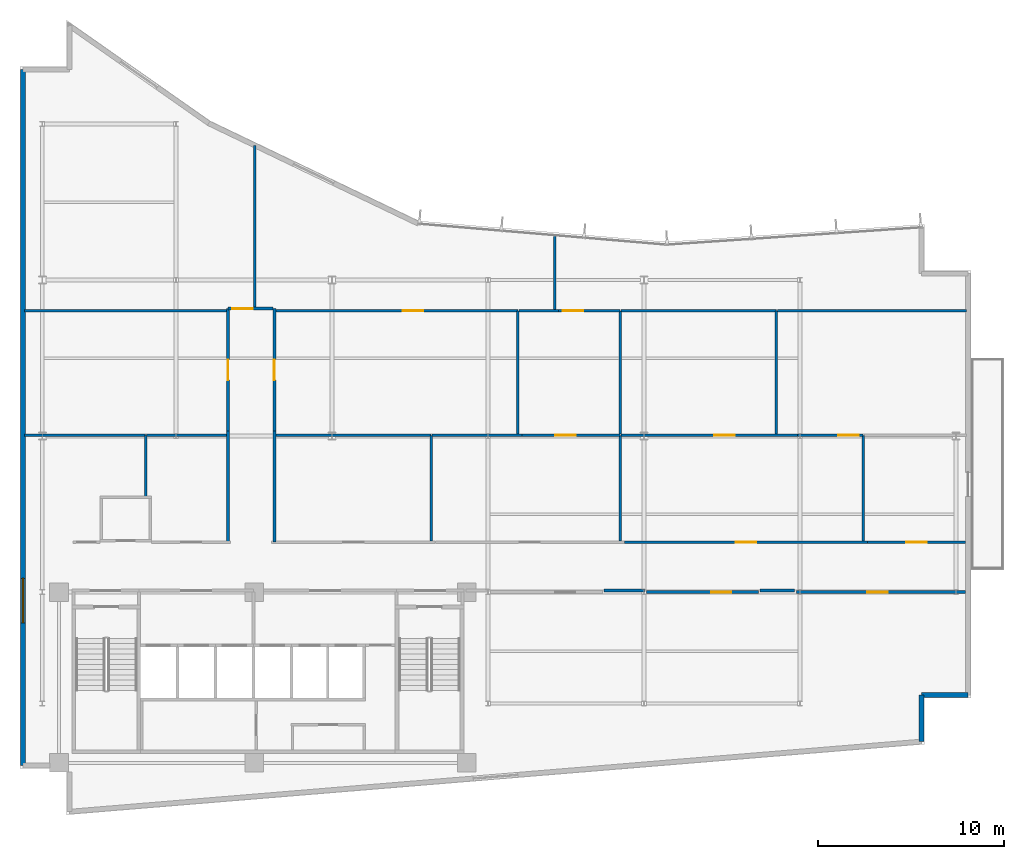
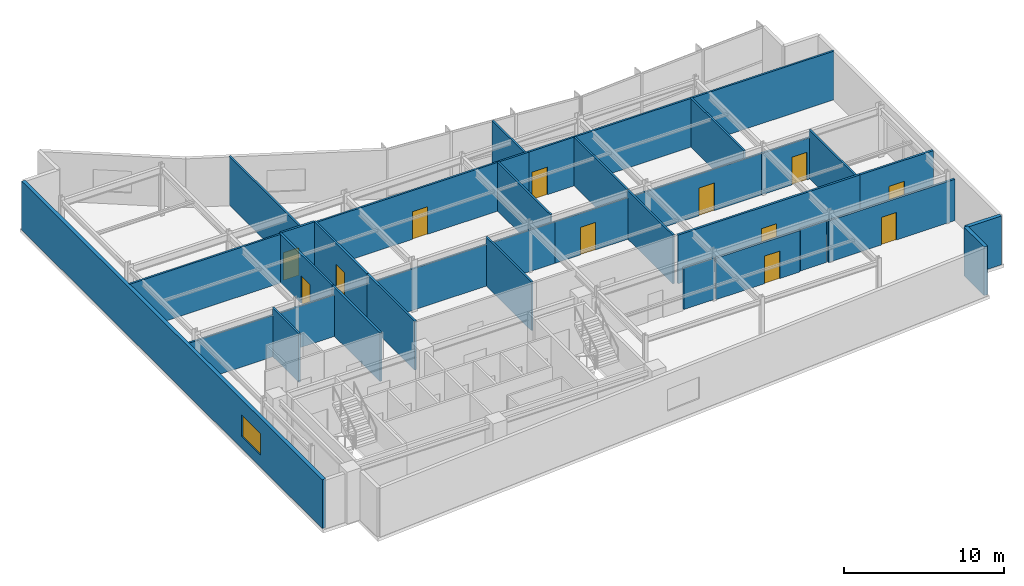
# One storey, part 10 of 14: 36 walls, 12 doors, 1 window, 13 openings.
"""IFC4 building model written with IfcOpenShell, lengths in metres."""

from ifc_helpers import new_model, si_unit, direction, frame, frame_2d, origin, place, context, subcontext, project, spatial, rectangle, extrude, material, layer, layer_set, type_object, element, fill, save


model = new_model("IFC4")

# Units and contexts
model_context = context("Model", 3, precision=1e-05, world=origin(), true_north=direction((0.0, 1.0)))
body_context = subcontext(model_context, "Body", "Model", "MODEL_VIEW")
ifc_project = project(units=[si_unit("LENGTHUNIT", "METRE"), si_unit("AREAUNIT", "SQUARE_METRE"), si_unit("VOLUMEUNIT", "CUBIC_METRE"), si_unit("PLANEANGLEUNIT", "RADIAN"), si_unit("MASSUNIT", "GRAM", prefix="KILO")], contexts=[model_context])

# Site, building, storey
site_placement = place(None, origin())
site = spatial("IfcSite", under=ifc_project, at=site_placement, CompositionType="ELEMENT")
building_placement = place(site_placement, origin())
building = spatial("IfcBuilding", under=site, at=building_placement, Name="Varnakote Quay Hospital", CompositionType="ELEMENT")
storey_placement = place(building_placement, frame((0.0, 0.0, 215.800048828125)))
storey = spatial("IfcBuildingStorey", under=building, at=storey_placement, Name="L53", CompositionType="ELEMENT", Elevation=215.800048828125)

# Walls
ifc_material_1 = material(Name="Fire-rated acoustic gypsum stud wall", Category="gypsum")
ifc_layer_1 = layer(ifc_material_1, 0.159912109375)
ifc_layer_set_1 = layer_set([ifc_layer_1], Name="Fire-rated acoustic gypsum stud wall")
wall_type_1 = type_object("IfcWallType", Name="WL-COMP-160", PredefinedType="PARTITIONING", material=ifc_layer_set_1)
wall_1_placement = place(storey_placement, frame((31.439208984375, 12.080078125, 0.0), z_axis=(0.0, 0.0, 1.0), x_axis=(1.0, 0.0, 0.0)))
element("IfcWall", 1, at=wall_1_placement, inside=storey, type_object=wall_type_1, Name="L53 Corridor South Gap Wall", PredefinedType="PARTITIONING", context=body_context, shape_type="SweptSolid", body=[
    extrude(rectangle(XDim=2.199462890625, YDim=0.159912109375, at=frame_2d((1.099609375, 0.0))), origin(), (0.0, 0.0, 1.0), 3.15185546875),
])
wall_2_placement = place(storey_placement, frame((39.83935546875, 12.080078125, 0.0), z_axis=(0.0, 0.0, 1.0), x_axis=(1.0, 0.0, 0.0)))
element("IfcWall", 2, at=wall_2_placement, inside=storey, type_object=wall_type_1, Name="L53 Corridor South Gap Wall", PredefinedType="PARTITIONING", context=body_context, shape_type="SweptSolid", body=[
    extrude(rectangle(XDim=1.871337890625, YDim=0.159912109375, at=frame_2d((0.935546875, 0.0))), origin(), (0.0, 0.0, 1.0), 3.15185546875),
])
ifc_material_2 = material(Name="Precast concrete N50 (f'c 50 MPa)", Category="concrete")
ifc_layer_2 = layer(ifc_material_2, 0.260009765625)
ifc_layer_set_2 = layer_set([ifc_layer_2], Name="Precast concrete N50 (f'c 50 MPa)")
wall_type_2 = type_object("IfcWallType", Name="WL-EXT-BRICK-260", PredefinedType="STANDARD", material=ifc_layer_set_2)
wall_3_placement = place(storey_placement, frame((48.5400390625, 3.947509765625, 0.0), z_axis=(0.0, 0.0, 1.0), x_axis=(0.0, 1.0, 0.0)))
element("IfcWall", 3, at=wall_3_placement, inside=storey, type_object=wall_type_2, Name="L53 Brick-Faced Precast Exterior Wall", PredefinedType="STANDARD", context=body_context, shape_type="SweptSolid", body=[
    extrude(rectangle(XDim=2.512451171875, YDim=0.260009765625, at=frame_2d((1.25634765625, 0.0))), origin(), (0.0, 0.0, 1.0), 3.7099609375),
])
wall_4_placement = place(storey_placement, frame((48.5400390625, 6.4599609375, 0.0), z_axis=(0.0, 0.0, 1.0), x_axis=(1.0, 0.0, 0.0)))
element("IfcWall", 4, at=wall_4_placement, inside=storey, type_object=wall_type_2, Name="L53 Brick-Faced Precast Exterior Wall", PredefinedType="STANDARD", context=body_context, shape_type="SweptSolid", body=[
    extrude(rectangle(XDim=2.5, YDim=0.260009765625, at=frame_2d((1.25, 0.0))), origin(), (0.0, 0.0, 1.0), 3.7099609375),
])

# Wall, opening, window
wall_5_placement = place(storey_placement, frame((0.159912109375, 40.139892578125, 0.0), z_axis=(0.0, 0.0, 1.0), x_axis=(0.0, -1.0, 0.0)))
wall_5 = element("IfcWall", 5, at=wall_5_placement, inside=storey, type_object=wall_type_2, Name="L53 Brick-Faced Precast Exterior Wall", PredefinedType="STANDARD", context=body_context, shape_type="SweptSolid", body=[
    extrude(rectangle(XDim=37.47998046875, YDim=0.260009765625, at=frame_2d((18.739990234375, 0.0))), origin(), (0.0, 0.0, 1.0), 3.7099609375),
])
opening_1_placement = place(wall_5_placement, frame((27.39990234375, 0.0, 0.89990234375)))
opening_1 = element("IfcOpeningElement", 6, at=opening_1_placement, cuts=wall_5, Name="Opening WN-0221", PredefinedType="OPENING", context=body_context, shape_type="SweptSolid", body=[
    extrude(rectangle(XDim=2.39990234375, YDim=1.64990234375, at=frame_2d((1.199951171875, 0.824951171875))), frame((0.0, 0.139892578125, 0.0), z_axis=(0.0, -1.0, 0.0), x_axis=(1.0, 0.0, 0.0)), (0.0, 0.0, 1.0), 0.280029296875),
])
ifc_material_3 = material(Name="Double-glazed low-E solar glass", Category="glass")
window_type = type_object("IfcWindowType", Name="WIN-CLIN-2400x1650", PartitioningType="SINGLE_PANEL", PredefinedType="WINDOW", material=ifc_material_3)
window_placement = place(opening_1_placement, origin())
window = element("IfcWindow", 7, at=window_placement, inside=storey, type_object=window_type, Name="L53 Solar-Control Clinical Window", OverallHeight=1.64990234375, OverallWidth=2.39990234375, PartitioningType="SINGLE_PANEL", PredefinedType="WINDOW", context=body_context, shape_type="SweptSolid", body=[
    extrude(rectangle(XDim=2.39990234375, YDim=1.64990234375, at=frame_2d((1.199951171875, 0.824951171875))), frame((0.0, 0.030029296875, 0.0), z_axis=(0.0, -1.0, 0.0), x_axis=(1.0, 0.0, 0.0)), (0.0, 0.0, 1.0), 0.06005859375),
])
fill(opening_1, window)

# Walls
ifc_material_4 = material(Name="Smoke-proof clinical partition", Category="gypsum")
ifc_layer_3 = layer(ifc_material_4, 0.135009765625)
ifc_layer_set_3 = layer_set([ifc_layer_3], Name="Smoke-proof clinical partition")
wall_type_3 = type_object("IfcWallType", Name="WL-SMOKE-135", PredefinedType="PARTITIONING", material=ifc_layer_set_3)
wall_6_placement = place(storey_placement, frame((6.760009765625, 17.139892578125, 0.0), z_axis=(0.0, 0.0, 1.0), x_axis=(0.0, 1.0, 0.0)))
element("IfcWall", 8, at=wall_6_placement, inside=storey, type_object=wall_type_3, Name="L53 Clinical Interior Partition", PredefinedType="PARTITIONING", context=body_context, shape_type="SweptSolid", body=[
    extrude(rectangle(XDim=3.300048828125, YDim=0.135009765625, at=frame_2d((1.64990234375, 0.0))), origin(), (0.0, 0.0, 1.0), 3.7099609375),
])
wall_7_placement = place(storey_placement, frame((6.760009765625, 20.43994140625, 0.0), z_axis=(0.0, 0.0, 1.0), x_axis=(-1.0, 0.0, 0.0)))
element("IfcWall", 9, at=wall_7_placement, inside=storey, type_object=wall_type_3, Name="L53 Clinical Interior Partition", PredefinedType="PARTITIONING", context=body_context, shape_type="SweptSolid", body=[
    extrude(rectangle(XDim=6.52001953125, YDim=0.135009765625, at=frame_2d((3.260009765625, 0.0))), origin(), (0.0, 0.0, 1.0), 3.15185546875),
])
wall_8_placement = place(storey_placement, frame((11.1201171875, 20.43994140625, 0.0), z_axis=(0.0, 0.0, 1.0), x_axis=(-1.0, 0.0, 0.0)))
element("IfcWall", 10, at=wall_8_placement, inside=storey, type_object=wall_type_3, Name="L53 Clinical Interior Partition", PredefinedType="PARTITIONING", context=body_context, shape_type="SweptSolid", body=[
    extrude(rectangle(XDim=4.302734375, YDim=0.135009765625, at=frame_2d((2.1513671875, 0.0))), origin(), (0.0, 0.0, 1.0), 3.15185546875),
])
wall_9_placement = place(storey_placement, frame((22.1298828125, 14.760009765625, 0.0), z_axis=(0.0, 0.0, 1.0), x_axis=(0.0, 1.0, 0.0)))
element("IfcWall", 11, at=wall_9_placement, inside=storey, type_object=wall_type_3, Name="L53 Clinical Interior Partition", PredefinedType="PARTITIONING", context=body_context, shape_type="SweptSolid", body=[
    extrude(rectangle(XDim=5.679931640625, YDim=0.135009765625, at=frame_2d((2.83984375, 0.0))), origin(), (0.0, 0.0, 1.0), 3.7099609375),
])
wall_10_placement = place(storey_placement, frame((22.1298828125, 20.43994140625, 0.0), z_axis=(0.0, 0.0, 1.0), x_axis=(-1.0, 0.0, 0.0)))
element("IfcWall", 12, at=wall_10_placement, inside=storey, type_object=wall_type_3, Name="L53 Clinical Interior Partition", PredefinedType="PARTITIONING", context=body_context, shape_type="SweptSolid", body=[
    extrude(rectangle(XDim=8.349853515625, YDim=0.135009765625, at=frame_2d((4.1748046875, 0.0))), origin(), (0.0, 0.0, 1.0), 3.15185546875),
])
wall_11_placement = place(storey_placement, frame((32.31005859375, 14.760009765625, 0.0), z_axis=(0.0, 0.0, 1.0), x_axis=(0.0, 1.0, 0.0)))
element("IfcWall", 13, at=wall_11_placement, inside=storey, type_object=wall_type_3, Name="L53 Clinical Interior Partition", PredefinedType="PARTITIONING", context=body_context, shape_type="SweptSolid", body=[
    extrude(rectangle(XDim=5.679931640625, YDim=0.135009765625, at=frame_2d((2.83984375, 0.0))), origin(), (0.0, 0.0, 1.0), 3.7099609375),
])
wall_12_placement = place(storey_placement, frame((27.017578125, 20.43994140625, 0.0), z_axis=(0.0, 0.0, 1.0), x_axis=(-1.0, 0.0, 0.0)))
element("IfcWall", 14, at=wall_12_placement, inside=storey, type_object=wall_type_3, Name="L53 Clinical Interior Partition", PredefinedType="PARTITIONING", context=body_context, shape_type="SweptSolid", body=[
    extrude(rectangle(XDim=4.830078125, YDim=0.135009765625, at=frame_2d((2.4150390625, 0.0))), origin(), (0.0, 0.0, 1.0), 3.15185546875),
])

# Wall, opening, door
wall_13_placement = place(storey_placement, frame((32.31005859375, 20.43994140625, 0.0), z_axis=(0.0, 0.0, 1.0), x_axis=(-1.0, 0.0, 0.0)))
wall_13 = element("IfcWall", 15, at=wall_13_placement, inside=storey, type_object=wall_type_3, Name="L53 Clinical Interior Partition", PredefinedType="PARTITIONING", context=body_context, shape_type="SweptSolid", body=[
    extrude(rectangle(XDim=5.29052734375, YDim=0.135009765625, at=frame_2d((2.645263671875, 0.0))), origin(), (0.0, 0.0, 1.0), 3.15185546875),
])
opening_2_placement = place(wall_13_placement, frame((2.37939453125, 0.0, 0.0)))
opening_2 = element("IfcOpeningElement", 16, at=opening_2_placement, cuts=wall_13, Name="Opening D-L53-MD09", PredefinedType="OPENING", context=body_context, shape_type="SweptSolid", body=[
    extrude(rectangle(XDim=1.10009765625, YDim=2.10009765625, at=frame_2d((0.550048828125, 1.050048828125))), frame((0.0, 0.077392578125, 0.0), z_axis=(0.0, -1.0, 0.0), x_axis=(1.0, 0.0, 0.0)), (0.0, 0.0, 1.0), 0.155029296875),
])
ifc_material_5 = material(Name="Acoustic timber clinical consult door", Category="wood")
door_type = type_object("IfcDoorType", Name="DR-CLIN-FD30S-1100x2100", OperationType="NOTDEFINED", PredefinedType="DOOR", material=ifc_material_5)
door_1_placement = place(opening_2_placement, origin())
door_1 = element("IfcDoor", 17, at=door_1_placement, inside=storey, type_object=door_type, Name="L53 Day Procedure Treatment Suite Door", OperationType="SINGLE_SWING_RIGHT", OverallHeight=2.10009765625, OverallWidth=1.10009765625, PredefinedType="DOOR", context=body_context, shape_type="SweptSolid", body=[
    extrude(rectangle(XDim=1.10009765625, YDim=2.10009765625, at=frame_2d((0.550048828125, 1.050048828125))), frame((0.0, 0.02490234375, 0.0), z_axis=(0.0, -1.0, 0.0), x_axis=(1.0, 0.0, 0.0)), (0.0, 0.0, 1.0), 0.050048828125),
])
fill(opening_2, door_1)

# Wall
wall_14_placement = place(storey_placement, frame((45.39990234375, 14.760009765625, 0.0), z_axis=(0.0, 0.0, 1.0), x_axis=(0.0, 1.0, 0.0)))
element("IfcWall", 18, at=wall_14_placement, inside=storey, type_object=wall_type_3, Name="L53 Clinical Interior Partition", PredefinedType="PARTITIONING", context=body_context, shape_type="SweptSolid", body=[
    extrude(rectangle(XDim=5.679931640625, YDim=0.135009765625, at=frame_2d((2.83984375, 0.0))), origin(), (0.0, 0.0, 1.0), 3.7099609375),
])

# Wall, opening, door
wall_15_placement = place(storey_placement, frame((41.8720703125, 20.43994140625, 0.0), z_axis=(0.0, 0.0, 1.0), x_axis=(-1.0, 0.0, 0.0)))
wall_15 = element("IfcWall", 19, at=wall_15_placement, inside=storey, type_object=wall_type_3, Name="L53 Clinical Interior Partition", PredefinedType="PARTITIONING", context=body_context, shape_type="SweptSolid", body=[
    extrude(rectangle(XDim=9.504638671875, YDim=0.135009765625, at=frame_2d((4.75244140625, 0.0))), origin(), (0.0, 0.0, 1.0), 3.15185546875),
])
opening_3_placement = place(wall_15_placement, frame((3.40185546875, 0.0, 0.0)))
opening_3 = element("IfcOpeningElement", 20, at=opening_3_placement, cuts=wall_15, Name="Opening D-L53-MD10", PredefinedType="OPENING", context=body_context, shape_type="SweptSolid", body=[
    extrude(rectangle(XDim=1.10009765625, YDim=2.10009765625, at=frame_2d((0.550048828125, 1.050048828125))), frame((0.0, 0.077392578125, 0.0), z_axis=(0.0, -1.0, 0.0), x_axis=(1.0, 0.0, 0.0)), (0.0, 0.0, 1.0), 0.155029296875),
])
door_2_placement = place(opening_3_placement, origin())
door_2 = element("IfcDoor", 21, at=door_2_placement, inside=storey, type_object=door_type, Name="L53 Oncology Infusion Treatment Suite Door", OperationType="SINGLE_SWING_LEFT", OverallHeight=2.10009765625, OverallWidth=1.10009765625, PredefinedType="DOOR", context=body_context, shape_type="SweptSolid", body=[
    extrude(rectangle(XDim=1.10009765625, YDim=2.10009765625, at=frame_2d((0.550048828125, 1.050048828125))), frame((0.0, 0.02490234375, 0.0), z_axis=(0.0, -1.0, 0.0), x_axis=(1.0, 0.0, 0.0)), (0.0, 0.0, 1.0), 0.050048828125),
])
fill(opening_3, door_2)

wall_16_placement = place(storey_placement, frame((45.39990234375, 20.43994140625, 0.0), z_axis=(0.0, 0.0, 1.0), x_axis=(-1.0, 0.0, 0.0)))
wall_16 = element("IfcWall", 22, at=wall_16_placement, inside=storey, type_object=wall_type_3, Name="L53 Clinical Interior Partition", PredefinedType="PARTITIONING", context=body_context, shape_type="SweptSolid", body=[
    extrude(rectangle(XDim=3.52587890625, YDim=0.135009765625, at=frame_2d((1.762939453125, 0.0))), origin(), (0.0, 0.0, 1.0), 3.15185546875),
])
opening_4_placement = place(wall_16_placement, frame((0.25048828125, 0.0, 0.0)))
opening_4 = element("IfcOpeningElement", 23, at=opening_4_placement, cuts=wall_16, Name="Opening D-L53-DLNG", PredefinedType="OPENING", context=body_context, shape_type="SweptSolid", body=[
    extrude(rectangle(XDim=1.10009765625, YDim=2.10009765625, at=frame_2d((0.550048828125, 1.050048828125))), frame((0.0, 0.077392578125, 0.0), z_axis=(0.0, -1.0, 0.0), x_axis=(1.0, 0.0, 0.0)), (0.0, 0.0, 1.0), 0.155029296875),
])
door_3_placement = place(opening_4_placement, origin())
door_3 = element("IfcDoor", 24, at=door_3_placement, inside=storey, type_object=door_type, Name="L53 Waterfront Patient & Family Dayroom Door", OperationType="SINGLE_SWING_RIGHT", OverallHeight=2.10009765625, OverallWidth=1.10009765625, PredefinedType="DOOR", context=body_context, shape_type="SweptSolid", body=[
    extrude(rectangle(XDim=1.10009765625, YDim=2.10009765625, at=frame_2d((0.550048828125, 1.050048828125))), frame((0.0, 0.02490234375, 0.0), z_axis=(0.0, -1.0, 0.0), x_axis=(1.0, 0.0, 0.0)), (0.0, 0.0, 1.0), 0.050048828125),
])
fill(opening_4, door_3)

# Walls
wall_17_placement = place(storey_placement, frame((11.1201171875, 27.139892578125, 0.0), z_axis=(0.0, 0.0, 1.0), x_axis=(-1.0, 0.0, 0.0)))
element("IfcWall", 25, at=wall_17_placement, inside=storey, type_object=wall_type_3, Name="L53 Clinical Interior Partition", PredefinedType="PARTITIONING", context=body_context, shape_type="SweptSolid", body=[
    extrude(rectangle(XDim=10.880126953125, YDim=0.135009765625, at=frame_2d((5.43994140625, 0.0))), origin(), (0.0, 0.0, 1.0), 3.7099609375),
])
wall_18_placement = place(storey_placement, frame((26.81005859375, 20.49755859375, 0.0), z_axis=(0.0, 0.0, 1.0), x_axis=(0.0, 1.0, 0.0)))
element("IfcWall", 26, at=wall_18_placement, inside=storey, type_object=wall_type_3, Name="L53 Clinical Interior Partition", PredefinedType="PARTITIONING", context=body_context, shape_type="SweptSolid", body=[
    extrude(rectangle(XDim=6.642333984375, YDim=0.135009765625, at=frame_2d((3.3212890625, 0.0))), origin(), (0.0, 0.0, 1.0), 3.7099609375),
])

# Wall, opening, door
wall_19_placement = place(storey_placement, frame((26.81005859375, 27.139892578125, 0.0), z_axis=(0.0, 0.0, 1.0), x_axis=(-1.0, 0.0, 0.0)))
wall_19 = element("IfcWall", 27, at=wall_19_placement, inside=storey, type_object=wall_type_3, Name="L53 Clinical Interior Partition", PredefinedType="PARTITIONING", context=body_context, shape_type="SweptSolid", body=[
    extrude(rectangle(XDim=13.030029296875, YDim=0.135009765625, at=frame_2d((6.51513671875, 0.0))), origin(), (0.0, 0.0, 1.0), 3.7099609375),
])
opening_5_placement = place(wall_19_placement, frame((5.10009765625, 0.0, 0.0)))
opening_5 = element("IfcOpeningElement", 28, at=opening_5_placement, cuts=wall_19, Name="Opening D-L53-MD12", PredefinedType="OPENING", context=body_context, shape_type="SweptSolid", body=[
    extrude(rectangle(XDim=1.10009765625, YDim=2.10009765625, at=frame_2d((0.550048828125, 1.050048828125))), frame((0.0, 0.077392578125, 0.0), z_axis=(0.0, -1.0, 0.0), x_axis=(1.0, 0.0, 0.0)), (0.0, 0.0, 1.0), 0.155029296875),
])
door_4_placement = place(opening_5_placement, origin())
door_4 = element("IfcDoor", 29, at=door_4_placement, inside=storey, type_object=door_type, Name="L53 Oncology Nurse Office Door", OperationType="SINGLE_SWING_LEFT", OverallHeight=2.10009765625, OverallWidth=1.10009765625, PredefinedType="DOOR", context=body_context, shape_type="SweptSolid", body=[
    extrude(rectangle(XDim=1.10009765625, YDim=2.10009765625, at=frame_2d((0.550048828125, 1.050048828125))), frame((0.0, 0.02490234375, 0.0), z_axis=(0.0, -1.0, 0.0), x_axis=(1.0, 0.0, 0.0)), (0.0, 0.0, 1.0), 0.050048828125),
])
fill(opening_5, door_4)

# Walls
wall_20_placement = place(storey_placement, frame((32.31005859375, 20.49755859375, 0.0), z_axis=(0.0, 0.0, 1.0), x_axis=(0.0, 1.0, 0.0)))
element("IfcWall", 30, at=wall_20_placement, inside=storey, type_object=wall_type_3, Name="L53 Clinical Interior Partition", PredefinedType="PARTITIONING", context=body_context, shape_type="SweptSolid", body=[
    extrude(rectangle(XDim=6.642333984375, YDim=0.135009765625, at=frame_2d((3.3212890625, 0.0))), origin(), (0.0, 0.0, 1.0), 3.7099609375),
])
wall_21_placement = place(storey_placement, frame((28.987548828125, 27.139892578125, 0.0), z_axis=(0.0, 0.0, 1.0), x_axis=(-1.0, 0.0, 0.0)))
element("IfcWall", 31, at=wall_21_placement, inside=storey, type_object=wall_type_3, Name="L53 Clinical Interior Partition", PredefinedType="PARTITIONING", context=body_context, shape_type="SweptSolid", body=[
    extrude(rectangle(XDim=2.1201171875, YDim=0.135009765625, at=frame_2d((1.06005859375, 0.0))), origin(), (0.0, 0.0, 1.0), 3.7099609375),
])

# Wall, opening, door
wall_22_placement = place(storey_placement, frame((32.31005859375, 27.139892578125, 0.0), z_axis=(0.0, 0.0, 1.0), x_axis=(-1.0, 0.0, 0.0)))
wall_22 = element("IfcWall", 32, at=wall_22_placement, inside=storey, type_object=wall_type_3, Name="L53 Clinical Interior Partition", PredefinedType="PARTITIONING", context=body_context, shape_type="SweptSolid", body=[
    extrude(rectangle(XDim=3.320556640625, YDim=0.135009765625, at=frame_2d((1.66015625, 0.0))), origin(), (0.0, 0.0, 1.0), 3.7099609375),
])
opening_6_placement = place(wall_22_placement, frame((1.97509765625, 0.0, 0.0)))
opening_6 = element("IfcOpeningElement", 33, at=opening_6_placement, cuts=wall_22, Name="Opening D-L53-MD13", PredefinedType="OPENING", context=body_context, shape_type="SweptSolid", body=[
    extrude(rectangle(XDim=1.10009765625, YDim=2.10009765625, at=frame_2d((0.550048828125, 1.050048828125))), frame((0.0, 0.077392578125, 0.0), z_axis=(0.0, -1.0, 0.0), x_axis=(1.0, 0.0, 0.0)), (0.0, 0.0, 1.0), 0.155029296875),
])
door_5_placement = place(opening_6_placement, origin())
door_5 = element("IfcDoor", 34, at=door_5_placement, inside=storey, type_object=door_type, Name="L53 Day Procedure Treatment Suite Door", OperationType="SINGLE_SWING_RIGHT", OverallHeight=2.10009765625, OverallWidth=1.10009765625, PredefinedType="DOOR", context=body_context, shape_type="SweptSolid", body=[
    extrude(rectangle(XDim=1.10009765625, YDim=2.10009765625, at=frame_2d((0.550048828125, 1.050048828125))), frame((0.0, 0.02490234375, 0.0), z_axis=(0.0, -1.0, 0.0), x_axis=(1.0, 0.0, 0.0)), (0.0, 0.0, 1.0), 0.050048828125),
])
fill(opening_6, door_5)

# Walls
wall_23_placement = place(storey_placement, frame((40.719970703125, 20.49755859375, 0.0), z_axis=(0.0, 0.0, 1.0), x_axis=(0.0, 1.0, 0.0)))
element("IfcWall", 35, at=wall_23_placement, inside=storey, type_object=wall_type_3, Name="L53 Clinical Interior Partition", PredefinedType="PARTITIONING", context=body_context, shape_type="SweptSolid", body=[
    extrude(rectangle(XDim=6.642333984375, YDim=0.135009765625, at=frame_2d((3.3212890625, 0.0))), origin(), (0.0, 0.0, 1.0), 3.7099609375),
])
wall_24_placement = place(storey_placement, frame((40.719970703125, 27.139892578125, 0.0), z_axis=(0.0, 0.0, 1.0), x_axis=(-1.0, 0.0, 0.0)))
element("IfcWall", 36, at=wall_24_placement, inside=storey, type_object=wall_type_3, Name="L53 Clinical Interior Partition", PredefinedType="PARTITIONING", context=body_context, shape_type="SweptSolid", body=[
    extrude(rectangle(XDim=8.3525390625, YDim=0.135009765625, at=frame_2d((4.17626953125, 0.0))), origin(), (0.0, 0.0, 1.0), 3.7099609375),
])
wall_25_placement = place(storey_placement, frame((50.9599609375, 27.139892578125, 0.0), z_axis=(0.0, 0.0, 1.0), x_axis=(-1.0, 0.0, 0.0)))
element("IfcWall", 37, at=wall_25_placement, inside=storey, type_object=wall_type_3, Name="L53 Clinical Interior Partition", PredefinedType="PARTITIONING", context=body_context, shape_type="SweptSolid", body=[
    extrude(rectangle(XDim=10.182373046875, YDim=0.135009765625, at=frame_2d((5.09130859375, 0.0))), origin(), (0.0, 0.0, 1.0), 3.7099609375),
])
wall_26_placement = place(storey_placement, frame((12.64990234375, 27.320068359375, 0.0), z_axis=(0.0, 0.0, 1.0), x_axis=(0.0, 1.0, 0.0)))
element("IfcWall", 38, at=wall_26_placement, inside=storey, type_object=wall_type_3, Name="L53 Clinical Interior Partition", PredefinedType="PARTITIONING", context=body_context, shape_type="SweptSolid", body=[
    extrude(rectangle(XDim=8.72412109375, YDim=0.135009765625, at=frame_2d((4.362060546875, 0.0))), origin(), (0.0, 0.0, 1.0), 3.7099609375),
])
wall_27_placement = place(storey_placement, frame((28.780029296875, 27.197509765625, 0.0), z_axis=(0.0, 0.0, 1.0), x_axis=(0.0, 1.0, 0.0)))
element("IfcWall", 39, at=wall_27_placement, inside=storey, type_object=wall_type_3, Name="L53 Clinical Interior Partition", PredefinedType="PARTITIONING", context=body_context, shape_type="SweptSolid", body=[
    extrude(rectangle(XDim=4.007568359375, YDim=0.135009765625, at=frame_2d((2.00390625, 0.0))), origin(), (0.0, 0.0, 1.0), 3.7099609375),
])

# Wall, opening, door
ifc_material_6 = material(Name="Fire-rated clinical gypsum partition", Category="gypsum")
ifc_layer_4 = layer(ifc_material_6, 0.14990234375)
ifc_layer_set_4 = layer_set([ifc_layer_4], Name="Fire-rated clinical gypsum partition")
wall_type_4 = type_object("IfcWallType", Name="WL-WARD-150", PredefinedType="PARTITIONING", material=ifc_layer_set_4)
wall_28_placement = place(storey_placement, frame((39.75, 12.0, 0.0), z_axis=(0.0, 0.0, 1.0), x_axis=(-1.0, 0.0, 0.0)))
wall_28 = element("IfcWall", 40, at=wall_28_placement, inside=storey, type_object=wall_type_4, Name="L53 Clinical Interior Partition", PredefinedType="PARTITIONING", context=body_context, shape_type="SweptSolid", body=[
    extrude(rectangle(XDim=6.02197265625, YDim=0.14990234375, at=frame_2d((3.010986328125, 0.0))), origin(), (0.0, 0.0, 1.0), 3.15185546875),
])
opening_7_placement = place(wall_28_placement, frame((1.443603515625, 0.0, 0.0)))
opening_7 = element("IfcOpeningElement", 41, at=opening_7_placement, cuts=wall_28, Name="Opening D-L53-RM1", PredefinedType="OPENING", context=body_context, shape_type="SweptSolid", body=[
    extrude(rectangle(XDim=1.10009765625, YDim=2.10009765625, at=frame_2d((0.550048828125, 1.050048828125))), frame((0.0, 0.0849609375, 0.0), z_axis=(0.0, -1.0, 0.0), x_axis=(1.0, 0.0, 0.0)), (0.0, 0.0, 1.0), 0.169921875),
])
door_6_placement = place(opening_7_placement, origin())
door_6 = element("IfcDoor", 42, at=door_6_placement, inside=storey, type_object=door_type, Name="L53 Cardiac Telemetry Treatment Suite Door", OperationType="SINGLE_SWING_LEFT", OverallHeight=2.10009765625, OverallWidth=1.10009765625, PredefinedType="DOOR", context=body_context, shape_type="SweptSolid", body=[
    extrude(rectangle(XDim=1.10009765625, YDim=2.10009765625, at=frame_2d((0.550048828125, 1.050048828125))), frame((0.0, 0.02490234375, 0.0), z_axis=(0.0, -1.0, 0.0), x_axis=(1.0, 0.0, 0.0)), (0.0, 0.0, 1.0), 0.050048828125),
])
fill(opening_7, door_6)

wall_29_placement = place(storey_placement, frame((50.919921875, 12.0, 0.0), z_axis=(0.0, 0.0, 1.0), x_axis=(-1.0, 0.0, 0.0)))
wall_29 = element("IfcWall", 43, at=wall_29_placement, inside=storey, type_object=wall_type_4, Name="L53 Clinical Interior Partition", PredefinedType="PARTITIONING", context=body_context, shape_type="SweptSolid", body=[
    extrude(rectangle(XDim=9.119873046875, YDim=0.14990234375, at=frame_2d((4.56005859375, 0.0))), origin(), (0.0, 0.0, 1.0), 3.15185546875),
])
opening_8_placement = place(wall_29_placement, frame((4.200439453125, 0.0, 0.0)))
opening_8 = element("IfcOpeningElement", 44, at=opening_8_placement, cuts=wall_29, Name="Opening D-L53-SE1", PredefinedType="OPENING", context=body_context, shape_type="SweptSolid", body=[
    extrude(rectangle(XDim=1.10009765625, YDim=2.10009765625, at=frame_2d((0.550048828125, 1.050048828125))), frame((0.0, 0.0849609375, 0.0), z_axis=(0.0, -1.0, 0.0), x_axis=(1.0, 0.0, 0.0)), (0.0, 0.0, 1.0), 0.169921875),
])
door_7_placement = place(opening_8_placement, origin())
door_7 = element("IfcDoor", 45, at=door_7_placement, inside=storey, type_object=door_type, Name="L53 Clinical Biomedical Engineering Office Door", OperationType="SINGLE_SWING_RIGHT", OverallHeight=2.10009765625, OverallWidth=1.10009765625, PredefinedType="DOOR", context=body_context, shape_type="SweptSolid", body=[
    extrude(rectangle(XDim=1.10009765625, YDim=2.10009765625, at=frame_2d((0.550048828125, 1.050048828125))), frame((0.0, 0.02490234375, 0.0), z_axis=(0.0, -1.0, 0.0), x_axis=(1.0, 0.0, 0.0)), (0.0, 0.0, 1.0), 0.050048828125),
])
fill(opening_8, door_7)

wall_30_placement = place(storey_placement, frame((45.6259765625, 14.679931640625, 0.0), z_axis=(0.0, 0.0, 1.0), x_axis=(-1.0, 0.0, 0.0)))
wall_30 = element("IfcWall", 46, at=wall_30_placement, inside=storey, type_object=wall_type_4, Name="L53 Clinical Interior Partition", PredefinedType="PARTITIONING", context=body_context, shape_type="SweptSolid", body=[
    extrude(rectangle(XDim=13.087890625, YDim=0.14990234375, at=frame_2d((6.5439453125, 0.0))), origin(), (0.0, 0.0, 1.0), 3.7099609375),
])
opening_9_placement = place(wall_30_placement, frame((5.993896484375, 0.0, 0.0)))
opening_9 = element("IfcOpeningElement", 47, at=opening_9_placement, cuts=wall_30, Name="Opening D-L53-MD05", PredefinedType="OPENING", context=body_context, shape_type="SweptSolid", body=[
    extrude(rectangle(XDim=1.10009765625, YDim=2.10009765625, at=frame_2d((0.550048828125, 1.050048828125))), frame((0.0, 0.0849609375, 0.0), z_axis=(0.0, -1.0, 0.0), x_axis=(1.0, 0.0, 0.0)), (0.0, 0.0, 1.0), 0.169921875),
])
door_8_placement = place(opening_9_placement, origin())
door_8 = element("IfcDoor", 48, at=door_8_placement, inside=storey, type_object=door_type, Name="L53 Day Procedure Treatment Suite Door", OperationType="SINGLE_SWING_LEFT", OverallHeight=2.10009765625, OverallWidth=1.10009765625, PredefinedType="DOOR", context=body_context, shape_type="SweptSolid", body=[
    extrude(rectangle(XDim=1.10009765625, YDim=2.10009765625, at=frame_2d((0.550048828125, 1.050048828125))), frame((0.0, 0.02490234375, 0.0), z_axis=(0.0, -1.0, 0.0), x_axis=(1.0, 0.0, 0.0)), (0.0, 0.0, 1.0), 0.050048828125),
])
fill(opening_9, door_8)

wall_31_placement = place(storey_placement, frame((50.919921875, 14.679931640625, 0.0), z_axis=(0.0, 0.0, 1.0), x_axis=(-1.0, 0.0, 0.0)))
wall_31 = element("IfcWall", 49, at=wall_31_placement, inside=storey, type_object=wall_type_4, Name="L53 Clinical Interior Partition", PredefinedType="PARTITIONING", context=body_context, shape_type="SweptSolid", body=[
    extrude(rectangle(XDim=5.2919921875, YDim=0.14990234375, at=frame_2d((2.64599609375, 0.0))), origin(), (0.0, 0.0, 1.0), 3.7099609375),
])
opening_10_placement = place(wall_31_placement, frame((2.095947265625, 0.0, 0.0)))
opening_10 = element("IfcOpeningElement", 50, at=opening_10_placement, cuts=wall_31, Name="Opening D-L53-MD06", PredefinedType="OPENING", context=body_context, shape_type="SweptSolid", body=[
    extrude(rectangle(XDim=1.10009765625, YDim=2.10009765625, at=frame_2d((0.550048828125, 1.050048828125))), frame((0.0, 0.0849609375, 0.0), z_axis=(0.0, -1.0, 0.0), x_axis=(1.0, 0.0, 0.0)), (0.0, 0.0, 1.0), 0.169921875),
])
door_9_placement = place(opening_10_placement, origin())
door_9 = element("IfcDoor", 51, at=door_9_placement, inside=storey, type_object=door_type, Name="L53 Oncology Infusion Treatment Suite Door", OperationType="SINGLE_SWING_RIGHT", OverallHeight=2.10009765625, OverallWidth=1.10009765625, PredefinedType="DOOR", context=body_context, shape_type="SweptSolid", body=[
    extrude(rectangle(XDim=1.10009765625, YDim=2.10009765625, at=frame_2d((0.550048828125, 1.050048828125))), frame((0.0, 0.02490234375, 0.0), z_axis=(0.0, -1.0, 0.0), x_axis=(1.0, 0.0, 0.0)), (0.0, 0.0, 1.0), 0.050048828125),
])
fill(opening_10, door_9)

# Walls
for number, where, z_axis, x_axis, name in (
    (52, (11.199951171875, 20.666015625, 0.0), (0.0, 0.0, 1.0), (0.0, -1.0, 0.0), "L53 Clinical Interior Partition"),
    (53, (13.699951171875, 14.699951171875, 0.0), (0.0, 0.0, 1.0), (0.0, 1.0, 0.0), "L53 Clinical Interior Partition"),
):
    element("IfcWall", number, at=place(storey_placement, frame(where, z_axis=z_axis, x_axis=x_axis)), inside=storey, type_object=wall_type_4, Name=name, PredefinedType="PARTITIONING", context=body_context, shape_type="SweptSolid", body=[
        extrude(rectangle(XDim=5.966064453125, YDim=0.14990234375, at=frame_2d((2.98291015625, 0.0))), origin(), (0.0, 0.0, 1.0), 3.7099609375),
    ])

# Wall, opening, door
wall_32_placement = place(storey_placement, frame((11.199951171875, 27.260009765625, 0.0), z_axis=(0.0, 0.0, 1.0), x_axis=(0.0, -1.0, 0.0)))
wall_32 = element("IfcWall", 54, at=wall_32_placement, inside=storey, type_object=wall_type_4, Name="L53 Clinical Interior Partition", PredefinedType="PARTITIONING", context=body_context, shape_type="SweptSolid", body=[
    extrude(rectangle(XDim=6.592041015625, YDim=0.14990234375, at=frame_2d((3.2958984375, 0.0))), origin(), (0.0, 0.0, 1.0), 3.7099609375),
])
opening_11_placement = place(wall_32_placement, frame((2.74609375, 0.0, 0.0)))
opening_11 = element("IfcOpeningElement", 55, at=opening_11_placement, cuts=wall_32, Name="Opening D-L53-MD07", PredefinedType="OPENING", context=body_context, shape_type="SweptSolid", body=[
    extrude(rectangle(XDim=1.10009765625, YDim=2.10009765625, at=frame_2d((0.550048828125, 1.050048828125))), frame((0.0, 0.0849609375, 0.0), z_axis=(0.0, -1.0, 0.0), x_axis=(1.0, 0.0, 0.0)), (0.0, 0.0, 1.0), 0.169921875),
])
door_10_placement = place(opening_11_placement, origin())
door_10 = element("IfcDoor", 56, at=door_10_placement, inside=storey, type_object=door_type, Name="L53 Ward Clean Medication Pantry Door", OperationType="SINGLE_SWING_LEFT", OverallHeight=2.10009765625, OverallWidth=1.10009765625, PredefinedType="DOOR", context=body_context, shape_type="SweptSolid", body=[
    extrude(rectangle(XDim=1.10009765625, YDim=2.10009765625, at=frame_2d((0.550048828125, 1.050048828125))), frame((0.0, 0.02490234375, 0.0), z_axis=(0.0, -1.0, 0.0), x_axis=(1.0, 0.0, 0.0)), (0.0, 0.0, 1.0), 0.050048828125),
])
fill(opening_11, door_10)

wall_33_placement = place(storey_placement, frame((13.699951171875, 20.66796875, 0.0), z_axis=(0.0, 0.0, 1.0), x_axis=(0.0, 1.0, 0.0)))
wall_33 = element("IfcWall", 57, at=wall_33_placement, inside=storey, type_object=wall_type_4, Name="L53 Clinical Interior Partition", PredefinedType="PARTITIONING", context=body_context, shape_type="SweptSolid", body=[
    extrude(rectangle(XDim=6.592041015625, YDim=0.14990234375, at=frame_2d((3.2958984375, 0.0))), origin(), (0.0, 0.0, 1.0), 3.7099609375),
])
opening_12_placement = place(wall_33_placement, frame((2.74609375, 0.0, 0.0)))
opening_12 = element("IfcOpeningElement", 58, at=opening_12_placement, cuts=wall_33, Name="Opening D-L53-MD08", PredefinedType="OPENING", context=body_context, shape_type="SweptSolid", body=[
    extrude(rectangle(XDim=1.10009765625, YDim=2.10009765625, at=frame_2d((0.550048828125, 1.050048828125))), frame((0.0, 0.0849609375, 0.0), z_axis=(0.0, -1.0, 0.0), x_axis=(1.0, 0.0, 0.0)), (0.0, 0.0, 1.0), 0.169921875),
])
door_11_placement = place(opening_12_placement, origin())
door_11 = element("IfcDoor", 59, at=door_11_placement, inside=storey, type_object=door_type, Name="L53 Oncology Nurse Office Door", OperationType="SINGLE_SWING_RIGHT", OverallHeight=2.10009765625, OverallWidth=1.10009765625, PredefinedType="DOOR", context=body_context, shape_type="SweptSolid", body=[
    extrude(rectangle(XDim=1.10009765625, YDim=2.10009765625, at=frame_2d((0.550048828125, 1.050048828125))), frame((0.0, 0.02490234375, 0.0), z_axis=(0.0, -1.0, 0.0), x_axis=(1.0, 0.0, 0.0)), (0.0, 0.0, 1.0), 0.050048828125),
])
fill(opening_12, door_11)

wall_34_placement = place(storey_placement, frame((13.635009765625, 27.260009765625, 0.0), z_axis=(0.0, 0.0, 1.0), x_axis=(-1.0, 0.0, 0.0)))
wall_34 = element("IfcWall", 60, at=wall_34_placement, inside=storey, type_object=wall_type_4, Name="L53 Clinical Interior Partition", PredefinedType="PARTITIONING", context=body_context, shape_type="SweptSolid", body=[
    extrude(rectangle(XDim=2.43505859375, YDim=0.14990234375, at=frame_2d((1.217529296875, 0.0))), origin(), (0.0, 0.0, 1.0), 3.7099609375),
])
opening_13_placement = place(wall_34_placement, frame((1.111572265625, 0.0, 0.0)))
opening_13 = element("IfcOpeningElement", 61, at=opening_13_placement, cuts=wall_34, Name="Opening D-L53-MD11", PredefinedType="OPENING", context=body_context, shape_type="SweptSolid", body=[
    extrude(rectangle(XDim=1.10009765625, YDim=2.10009765625, at=frame_2d((0.550048828125, 1.050048828125))), frame((0.0, 0.0849609375, 0.0), z_axis=(0.0, -1.0, 0.0), x_axis=(1.0, 0.0, 0.0)), (0.0, 0.0, 1.0), 0.169921875),
])
door_12_placement = place(opening_13_placement, origin())
door_12 = element("IfcDoor", 62, at=door_12_placement, inside=storey, type_object=door_type, Name="L53 Ward Clean Medication Pantry Door", OperationType="SINGLE_SWING_LEFT", OverallHeight=2.10009765625, OverallWidth=1.10009765625, PredefinedType="DOOR", context=body_context, shape_type="SweptSolid", body=[
    extrude(rectangle(XDim=1.10009765625, YDim=2.10009765625, at=frame_2d((0.550048828125, 1.050048828125))), frame((0.0, 0.02490234375, 0.0), z_axis=(0.0, -1.0, 0.0), x_axis=(1.0, 0.0, 0.0)), (0.0, 0.0, 1.0), 0.050048828125),
])
fill(opening_13, door_12)

save(model, "model.ifc")
